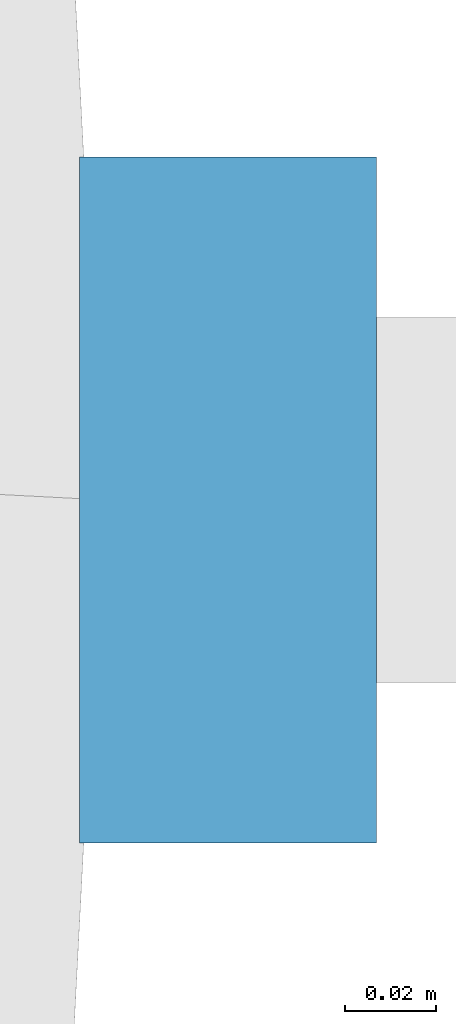
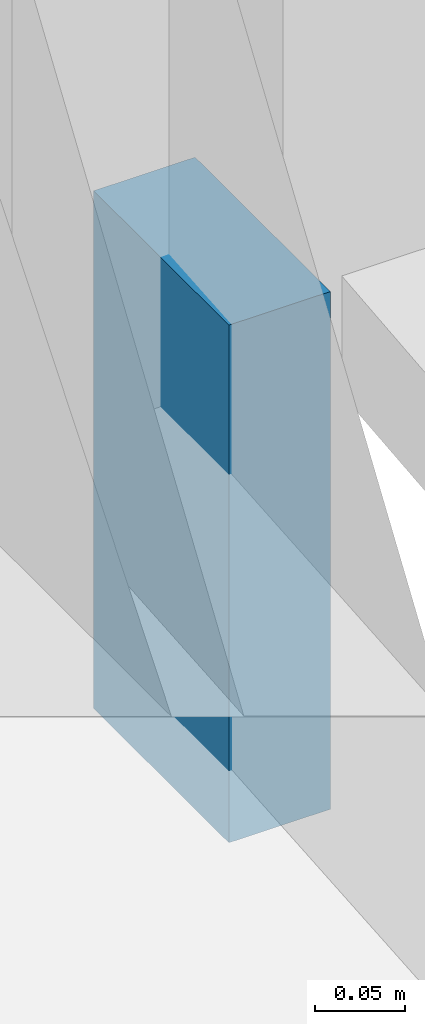
# One storey, part 16 of 20: 1 discrete accessory.
"""IFC4 building model written with IfcOpenShell, lengths in metres."""

from ifc_helpers import new_model, si_unit, direction, frame, origin, origin_2d, place, context, subcontext, project, spatial, rectangle, extrude, material, type_object, element, save


model = new_model("IFC4")

# Units and contexts
model_context = context("Model", 3, precision=1e-05, world=origin(), true_north=direction((0.0, 1.0)))
body_context = subcontext(model_context, "Body", "Model", "MODEL_VIEW")
ifc_project = project(units=[si_unit("LENGTHUNIT", "METRE"), si_unit("AREAUNIT", "SQUARE_METRE"), si_unit("VOLUMEUNIT", "CUBIC_METRE"), si_unit("PLANEANGLEUNIT", "RADIAN"), si_unit("MASSUNIT", "GRAM", prefix="KILO")], contexts=[model_context])

# Site, building, storey
site_placement = place(None, origin())
site = spatial("IfcSite", under=ifc_project, at=site_placement, CompositionType="ELEMENT")
building_placement = place(site_placement, origin())
building = spatial("IfcBuilding", under=site, at=building_placement, Name="Ghaith Harvest Tower", CompositionType="ELEMENT")
storey_placement = place(building_placement, frame((0.0, 0.0, 20.0)))
storey = spatial("IfcBuildingStorey", under=building, at=storey_placement, Name="L04", CompositionType="ELEMENT", Elevation=20.0)

# Discrete accessory
ifc_material = material(Name="Stainless steel grade 1.4401", Category="steel")
discrete_accessory_type = type_object("IfcDiscreteAccessoryType", Name="CURTAIN WALL BRACKET 65", PredefinedType="BRACKET", material=ifc_material)
discrete_accessory_placement = place(storey_placement, frame((34.152587890625, 0.0, -0.25), z_axis=(0.0, 0.0, 1.0), x_axis=(1.0, 0.0, 0.0)))
element("IfcDiscreteAccessory", 1, at=discrete_accessory_placement, inside=storey, type_object=discrete_accessory_type, Name="CW-F bracket 1 bay 01 L04", PredefinedType="BRACKET", context=body_context, shape_type="SweptSolid", body=[
    extrude(rectangle(XDim=0.06494140625, YDim=0.14990234375, at=origin_2d()), origin(), (0.0, 0.0, 1.0), 0.35009765625),
])

save(model, "model.ifc")
